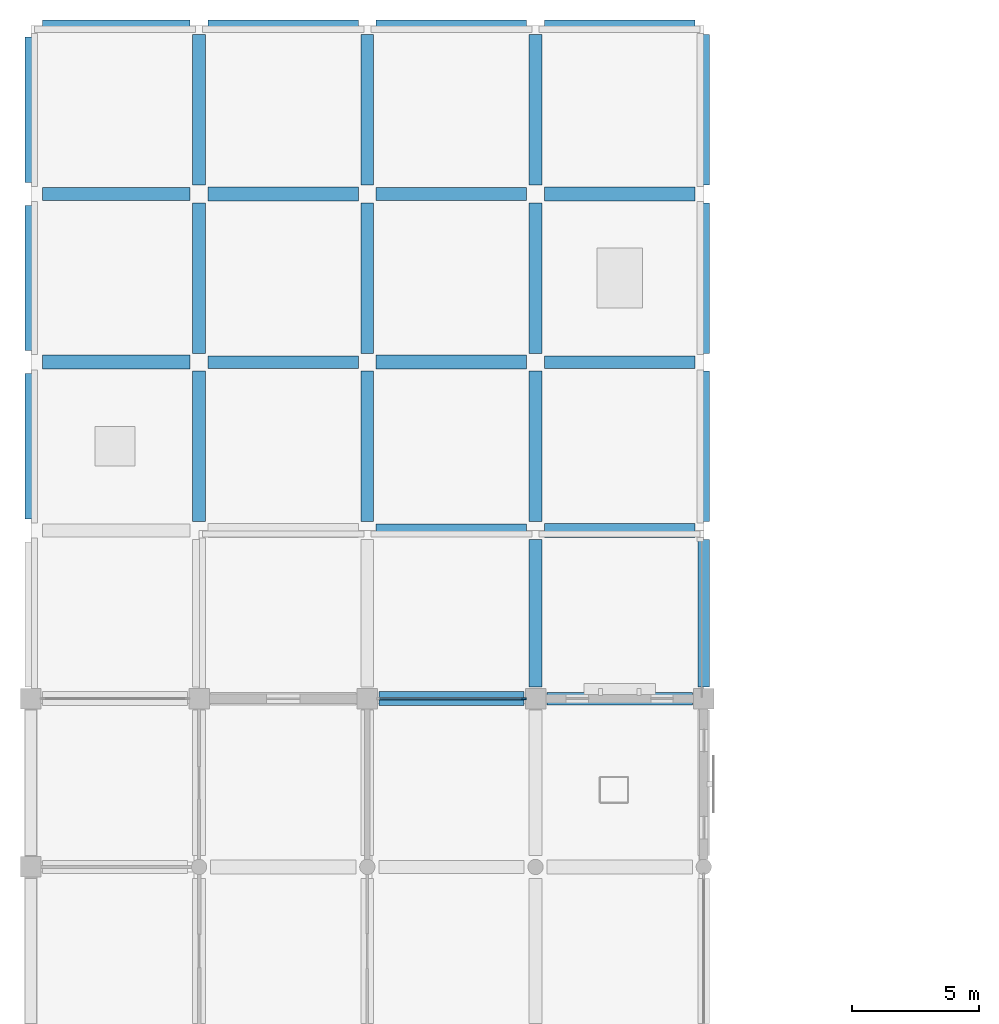
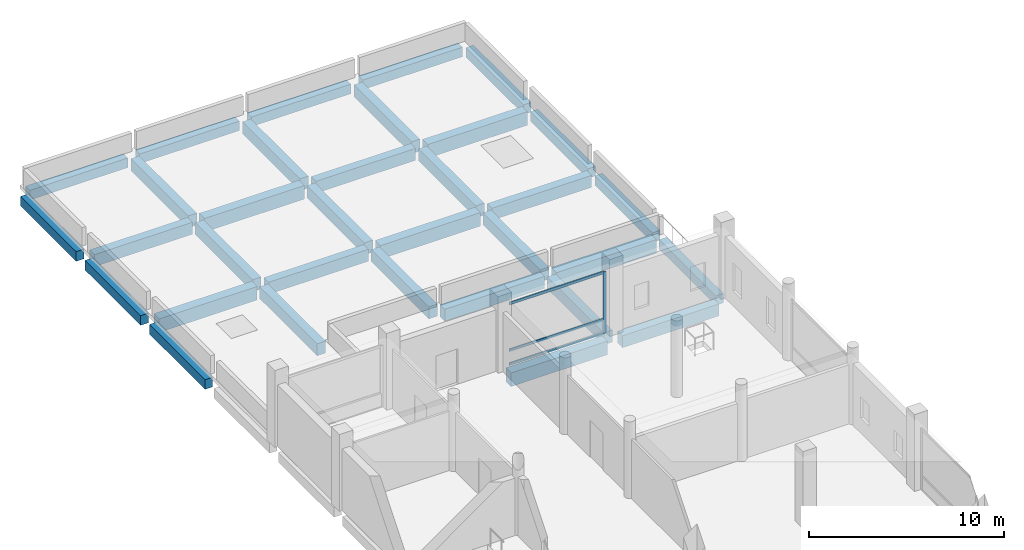
# One storey, part 14 of 34: 33 beams, 4 members, 1 element without a shape of its own.
"""IFC4 building model written with IfcOpenShell, lengths in metres."""

from ifc_helpers import new_model, si_unit, direction, frame, origin, origin_2d, place, context, subcontext, project, spatial, rectangle, extrude, material, material_profile, profile_set, type_object, element, aggregate, save


model = new_model("IFC4")

# Units and contexts
model_context = context("Model", 3, precision=1e-05, world=origin(), true_north=direction((0.0, 1.0)))
body_context = subcontext(model_context, "Body", "Model", "MODEL_VIEW")
ifc_project = project(units=[si_unit("LENGTHUNIT", "METRE"), si_unit("AREAUNIT", "SQUARE_METRE"), si_unit("VOLUMEUNIT", "CUBIC_METRE"), si_unit("PLANEANGLEUNIT", "RADIAN"), si_unit("MASSUNIT", "GRAM", prefix="KILO")], contexts=[model_context])

# Site, building, storey
site_placement = place(None, origin())
site = spatial("IfcSite", under=ifc_project, at=site_placement, CompositionType="ELEMENT")
building_placement = place(site_placement, origin())
building = spatial("IfcBuilding", under=site, at=building_placement, Name="Rusizi Kubbe Research Institute", CompositionType="ELEMENT")
storey_placement = place(building_placement, frame((0.0, 0.0, 5.39990234375)))
storey = spatial("IfcBuildingStorey", under=building, at=storey_placement, Name="L01", CompositionType="ELEMENT", Elevation=5.39990234375)

# Beams
ifc_material_1 = material(Name="Concrete C40/50", Category="concrete")
ifc_material_profile_1 = material_profile(ifc_material_1, rectangle(XDim=0.449951171875, YDim=0.60009765625, at=origin_2d()), Name="RC450x600")
ifc_profile_set_1 = profile_set([ifc_material_profile_1], Name="Concrete C40/50")
beam_type_1 = type_object("IfcBeamType", Name="BM-RC450x600", PredefinedType="SPANDREL", material=ifc_profile_set_1)
beam_1_placement = place(storey_placement, frame((0.449951171875, 171.60009765625, -0.64990234375), z_axis=(1.0, 0.0, 0.0), x_axis=(0.0, 1.0, 0.0)))
element("IfcBeam", 1, at=beam_1_placement, inside=storey, type_object=beam_type_1, Name="Grid Beam H L01 (0,26)", PredefinedType="SPANDREL", context=body_context, shape_type="SweptSolid", body=[
    extrude(rectangle(XDim=0.449951171875, YDim=0.60009765625, at=origin_2d()), origin(), (0.0, 0.0, 1.0), 5.800048828125),
])
beam_2_placement = place(storey_placement, frame((6.949951171875, 171.60009765625, -0.64990234375), z_axis=(1.0, 0.0, 0.0), x_axis=(0.0, 1.0, 0.0)))
element("IfcBeam", 2, at=beam_2_placement, inside=storey, type_object=beam_type_1, Name="Grid Beam H L01 (1,26)", PredefinedType="SPANDREL", context=body_context, shape_type="SweptSolid", body=[
    extrude(rectangle(XDim=0.449951171875, YDim=0.60009765625, at=origin_2d()), origin(), (0.0, 0.0, 1.0), 5.900146484375),
])
beam_3_placement = place(storey_placement, frame((13.550048828125, 171.60009765625, -0.64990234375), z_axis=(1.0, 0.0, 0.0), x_axis=(0.0, 1.0, 0.0)))
element("IfcBeam", 3, at=beam_3_placement, inside=storey, type_object=beam_type_1, Name="Grid Beam H L01 (2,26)", PredefinedType="SPANDREL", context=body_context, shape_type="SweptSolid", body=[
    extrude(rectangle(XDim=0.449951171875, YDim=0.60009765625, at=origin_2d()), origin(), (0.0, 0.0, 1.0), 5.89990234375),
])
beam_4_placement = place(storey_placement, frame((20.14990234375, 171.60009765625, -0.64990234375), z_axis=(1.0, 0.0, 0.0), x_axis=(0.0, 1.0, 0.0)))
element("IfcBeam", 4, at=beam_4_placement, inside=storey, type_object=beam_type_1, Name="Grid Beam H L01 (3,26)", PredefinedType="SPANDREL", context=body_context, shape_type="SweptSolid", body=[
    extrude(rectangle(XDim=0.449951171875, YDim=0.60009765625, at=origin_2d()), origin(), (0.0, 0.0, 1.0), 5.900146484375),
])
for number, where, z_axis, x_axis, name in (
    (5, (0.0, 152.25, -0.64990234375), (0.0, 1.0, 0.0), (-1.0, 0.0, 0.0), "Grid Beam V L01 (0,23)"),
    (6, (0.0, 158.85009765625, -0.64990234375), (0.0, 1.0, 0.0), (-1.0, 0.0, 0.0), "Grid Beam V L01 (0,24)"),
    (7, (0.0, 165.449951171875, -0.64990234375), (0.0, 1.0, 0.0), (-1.0, 0.0, 0.0), "Grid Beam V L01 (0,25)"),
):
    element("IfcBeam", number, at=place(storey_placement, frame(where, z_axis=z_axis, x_axis=x_axis)), inside=storey, type_object=beam_type_1, Name=name, PredefinedType="SPANDREL", context=body_context, shape_type="SweptSolid", body=[
        extrude(rectangle(XDim=0.449951171875, YDim=0.60009765625, at=origin_2d()), origin(), (0.0, 0.0, 1.0), 5.699951171875),
    ])
beam_5_placement = place(storey_placement, frame((26.39990234375, 145.64990234375, -0.64990234375), z_axis=(0.0, 1.0, 0.0), x_axis=(-1.0, 0.0, 0.0)))
element("IfcBeam", 8, at=beam_5_placement, inside=storey, type_object=beam_type_1, Name="Grid Beam V L01 (4,22)", PredefinedType="SPANDREL", context=body_context, shape_type="SweptSolid", body=[
    extrude(rectangle(XDim=0.449951171875, YDim=0.60009765625, at=origin_2d()), origin(), (0.0, 0.0, 1.0), 5.800048828125),
])
beam_6_placement = place(storey_placement, frame((26.39990234375, 152.14990234375, -0.64990234375), z_axis=(0.0, 1.0, 0.0), x_axis=(-1.0, 0.0, 0.0)))
element("IfcBeam", 9, at=beam_6_placement, inside=storey, type_object=beam_type_1, Name="Grid Beam V L01 (4,23)", PredefinedType="SPANDREL", context=body_context, shape_type="SweptSolid", body=[
    extrude(rectangle(XDim=0.449951171875, YDim=0.60009765625, at=origin_2d()), origin(), (0.0, 0.0, 1.0), 5.900146484375),
])
for number, where, z_axis, x_axis, name in (
    (10, (26.39990234375, 158.75, -0.64990234375), (0.0, 1.0, 0.0), (-1.0, 0.0, 0.0), "Grid Beam V L01 (4,24)"),
    (11, (26.39990234375, 165.35009765625, -0.64990234375), (0.0, 1.0, 0.0), (-1.0, 0.0, 0.0), "Grid Beam V L01 (4,25)"),
):
    element("IfcBeam", number, at=place(storey_placement, frame(where, z_axis=z_axis, x_axis=x_axis)), inside=storey, type_object=beam_type_1, Name=name, PredefinedType="SPANDREL", context=body_context, shape_type="SweptSolid", body=[
        extrude(rectangle(XDim=0.449951171875, YDim=0.60009765625, at=origin_2d()), origin(), (0.0, 0.0, 1.0), 5.89990234375),
    ])
ifc_material_2 = material(Name="Concrete C45/55", Category="concrete")
ifc_material_profile_2 = material_profile(ifc_material_2, rectangle(XDim=0.5, YDim=0.75, at=origin_2d()), Name="RC500x750B")
ifc_profile_set_2 = profile_set([ifc_material_profile_2], Name="Concrete C45/55")
beam_type_2 = type_object("IfcBeamType", Name="BM-RC500x750", PredefinedType="BEAM", material=ifc_profile_set_2)
beam_7_placement = place(storey_placement, frame((0.449951171875, 165.0, -0.724853515625), z_axis=(1.0, 0.0, 0.0), x_axis=(0.0, 1.0, 0.0)))
element("IfcBeam", 12, at=beam_7_placement, inside=storey, type_object=beam_type_2, Name="Grid Beam H L01 (0,25)", PredefinedType="BEAM", context=body_context, shape_type="SweptSolid", body=[
    extrude(rectangle(XDim=0.5, YDim=0.75, at=origin_2d()), origin(), (0.0, 0.0, 1.0), 5.800048828125),
])
beam_8_placement = place(storey_placement, frame((6.949951171875, 158.39990234375, -0.724853515625), z_axis=(1.0, 0.0, 0.0), x_axis=(0.0, 1.0, 0.0)))
element("IfcBeam", 13, at=beam_8_placement, inside=storey, type_object=beam_type_2, Name="Grid Beam H L01 (1,24)", PredefinedType="BEAM", context=body_context, shape_type="SweptSolid", body=[
    extrude(rectangle(XDim=0.5, YDim=0.75, at=origin_2d()), origin(), (0.0, 0.0, 1.0), 5.900146484375),
])
for number, where, z_axis, x_axis, name in (
    (14, (13.550048828125, 151.800048828125, -0.724853515625), (1.0, 0.0, 0.0), (0.0, 1.0, 0.0), "Grid Beam H L01 (2,23)"),
    (15, (13.550048828125, 165.0, -0.724853515625), (1.0, 0.0, 0.0), (0.0, 1.0, 0.0), "Grid Beam H L01 (2,25)"),
):
    element("IfcBeam", number, at=place(storey_placement, frame(where, z_axis=z_axis, x_axis=x_axis)), inside=storey, type_object=beam_type_2, Name=name, PredefinedType="BEAM", context=body_context, shape_type="SweptSolid", body=[
        extrude(rectangle(XDim=0.5, YDim=0.75, at=origin_2d()), origin(), (0.0, 0.0, 1.0), 5.89990234375),
    ])
beam_9_placement = place(storey_placement, frame((20.25, 145.199951171875, -0.724853515625), z_axis=(1.0, 0.0, 0.0), x_axis=(0.0, 1.0, 0.0)))
element("IfcBeam", 16, at=beam_9_placement, inside=storey, type_object=beam_type_2, Name="Grid Beam H L01 (3,22)", PredefinedType="BEAM", context=body_context, shape_type="SweptSolid", body=[
    extrude(rectangle(XDim=0.5, YDim=0.75, at=origin_2d()), origin(), (0.0, 0.0, 1.0), 5.699951171875),
])
for number, where, z_axis, x_axis, name in (
    (17, (20.14990234375, 158.39990234375, -0.724853515625), (1.0, 0.0, 0.0), (0.0, 1.0, 0.0), "Grid Beam H L01 (3,24)"),
    (18, (6.60009765625, 152.14990234375, -0.724853515625), (0.0, 1.0, 0.0), (-1.0, 0.0, 0.0), "Grid Beam V L01 (1,23)"),
):
    element("IfcBeam", number, at=place(storey_placement, frame(where, z_axis=z_axis, x_axis=x_axis)), inside=storey, type_object=beam_type_2, Name=name, PredefinedType="BEAM", context=body_context, shape_type="SweptSolid", body=[
        extrude(rectangle(XDim=0.5, YDim=0.75, at=origin_2d()), origin(), (0.0, 0.0, 1.0), 5.900146484375),
    ])
for number, where, z_axis, x_axis, name in (
    (19, (6.60009765625, 158.75, -0.724853515625), (0.0, 1.0, 0.0), (-1.0, 0.0, 0.0), "Grid Beam V L01 (1,24)"),
    (20, (6.60009765625, 165.35009765625, -0.724853515625), (0.0, 1.0, 0.0), (-1.0, 0.0, 0.0), "Grid Beam V L01 (1,25)"),
):
    element("IfcBeam", number, at=place(storey_placement, frame(where, z_axis=z_axis, x_axis=x_axis)), inside=storey, type_object=beam_type_2, Name=name, PredefinedType="BEAM", context=body_context, shape_type="SweptSolid", body=[
        extrude(rectangle(XDim=0.5, YDim=0.75, at=origin_2d()), origin(), (0.0, 0.0, 1.0), 5.89990234375),
    ])
beam_10_placement = place(storey_placement, frame((13.199951171875, 152.14990234375, -0.724853515625), z_axis=(0.0, 1.0, 0.0), x_axis=(-1.0, 0.0, 0.0)))
element("IfcBeam", 21, at=beam_10_placement, inside=storey, type_object=beam_type_2, Name="Grid Beam V L01 (2,23)", PredefinedType="BEAM", context=body_context, shape_type="SweptSolid", body=[
    extrude(rectangle(XDim=0.5, YDim=0.75, at=origin_2d()), origin(), (0.0, 0.0, 1.0), 5.900146484375),
])
for number, where, z_axis, x_axis, name in (
    (22, (13.199951171875, 158.75, -0.724853515625), (0.0, 1.0, 0.0), (-1.0, 0.0, 0.0), "Grid Beam V L01 (2,24)"),
    (23, (13.199951171875, 165.35009765625, -0.724853515625), (0.0, 1.0, 0.0), (-1.0, 0.0, 0.0), "Grid Beam V L01 (2,25)"),
):
    element("IfcBeam", number, at=place(storey_placement, frame(where, z_axis=z_axis, x_axis=x_axis)), inside=storey, type_object=beam_type_2, Name=name, PredefinedType="BEAM", context=body_context, shape_type="SweptSolid", body=[
        extrude(rectangle(XDim=0.5, YDim=0.75, at=origin_2d()), origin(), (0.0, 0.0, 1.0), 5.89990234375),
    ])
beam_11_placement = place(storey_placement, frame((19.800048828125, 145.64990234375, -0.724853515625), z_axis=(0.0, 1.0, 0.0), x_axis=(-1.0, 0.0, 0.0)))
element("IfcBeam", 24, at=beam_11_placement, inside=storey, type_object=beam_type_2, Name="Grid Beam V L01 (3,22)", PredefinedType="BEAM", context=body_context, shape_type="SweptSolid", body=[
    extrude(rectangle(XDim=0.5, YDim=0.75, at=origin_2d()), origin(), (0.0, 0.0, 1.0), 5.800048828125),
])
beam_12_placement = place(storey_placement, frame((19.800048828125, 152.14990234375, -0.724853515625), z_axis=(0.0, 1.0, 0.0), x_axis=(-1.0, 0.0, 0.0)))
element("IfcBeam", 25, at=beam_12_placement, inside=storey, type_object=beam_type_2, Name="Grid Beam V L01 (3,23)", PredefinedType="BEAM", context=body_context, shape_type="SweptSolid", body=[
    extrude(rectangle(XDim=0.5, YDim=0.75, at=origin_2d()), origin(), (0.0, 0.0, 1.0), 5.900146484375),
])
for number, where, z_axis, x_axis, name in (
    (26, (19.800048828125, 158.75, -0.724853515625), (0.0, 1.0, 0.0), (-1.0, 0.0, 0.0), "Grid Beam V L01 (3,24)"),
    (27, (19.800048828125, 165.35009765625, -0.724853515625), (0.0, 1.0, 0.0), (-1.0, 0.0, 0.0), "Grid Beam V L01 (3,25)"),
):
    element("IfcBeam", number, at=place(storey_placement, frame(where, z_axis=z_axis, x_axis=x_axis)), inside=storey, type_object=beam_type_2, Name=name, PredefinedType="BEAM", context=body_context, shape_type="SweptSolid", body=[
        extrude(rectangle(XDim=0.5, YDim=0.75, at=origin_2d()), origin(), (0.0, 0.0, 1.0), 5.89990234375),
    ])
ifc_material_3 = material(Name="Concrete C45/55", Category="concrete")
ifc_material_profile_3 = material_profile(ifc_material_3, rectangle(XDim=0.550048828125, YDim=0.85009765625, at=origin_2d()), Name="RC550x850")
ifc_profile_set_3 = profile_set([ifc_material_profile_3], Name="Concrete C45/55")
beam_type_3 = type_object("IfcBeamType", Name="BM-RC550x850", PredefinedType="BEAM", material=ifc_profile_set_3)
beam_13_placement = place(storey_placement, frame((0.449951171875, 158.39990234375, -0.77490234375), z_axis=(1.0, 0.0, 0.0), x_axis=(0.0, 1.0, 0.0)))
element("IfcBeam", 28, at=beam_13_placement, inside=storey, type_object=beam_type_3, Name="Grid Beam H L01 (0,24)", PredefinedType="BEAM", context=body_context, shape_type="SweptSolid", body=[
    extrude(rectangle(XDim=0.550048828125, YDim=0.85009765625, at=origin_2d()), origin(), (0.0, 0.0, 1.0), 5.800048828125),
])
beam_14_placement = place(storey_placement, frame((6.949951171875, 165.0, -0.77490234375), z_axis=(1.0, 0.0, 0.0), x_axis=(0.0, 1.0, 0.0)))
element("IfcBeam", 29, at=beam_14_placement, inside=storey, type_object=beam_type_3, Name="Grid Beam H L01 (1,25)", PredefinedType="BEAM", context=body_context, shape_type="SweptSolid", body=[
    extrude(rectangle(XDim=0.550048828125, YDim=0.85009765625, at=origin_2d()), origin(), (0.0, 0.0, 1.0), 5.900146484375),
])
beam_15_placement = place(storey_placement, frame((13.64990234375, 145.199951171875, -0.77490234375), z_axis=(1.0, 0.0, 0.0), x_axis=(0.0, 1.0, 0.0)))
element("IfcBeam", 30, at=beam_15_placement, inside=storey, type_object=beam_type_3, Name="Grid Beam H L01 (2,22)", PredefinedType="BEAM", context=body_context, shape_type="SweptSolid", body=[
    extrude(rectangle(XDim=0.550048828125, YDim=0.85009765625, at=origin_2d()), origin(), (0.0, 0.0, 1.0), 5.7001953125),
])
beam_16_placement = place(storey_placement, frame((13.550048828125, 158.39990234375, -0.77490234375), z_axis=(1.0, 0.0, 0.0), x_axis=(0.0, 1.0, 0.0)))
element("IfcBeam", 31, at=beam_16_placement, inside=storey, type_object=beam_type_3, Name="Grid Beam H L01 (2,24)", PredefinedType="BEAM", context=body_context, shape_type="SweptSolid", body=[
    extrude(rectangle(XDim=0.550048828125, YDim=0.85009765625, at=origin_2d()), origin(), (0.0, 0.0, 1.0), 5.89990234375),
])
for number, where, z_axis, x_axis, name in (
    (32, (20.14990234375, 151.800048828125, -0.77490234375), (1.0, 0.0, 0.0), (0.0, 1.0, 0.0), "Grid Beam H L01 (3,23)"),
    (33, (20.14990234375, 165.0, -0.77490234375), (1.0, 0.0, 0.0), (0.0, 1.0, 0.0), "Grid Beam H L01 (3,25)"),
):
    element("IfcBeam", number, at=place(storey_placement, frame(where, z_axis=z_axis, x_axis=x_axis)), inside=storey, type_object=beam_type_3, Name=name, PredefinedType="BEAM", context=body_context, shape_type="SweptSolid", body=[
        extrude(rectangle(XDim=0.550048828125, YDim=0.85009765625, at=origin_2d()), origin(), (0.0, 0.0, 1.0), 5.900146484375),
    ])

# Curtain wall, members
ifc_material_4 = material(Name="Thermally Broken Aluminium and Low-E Glazing", Category="aluminium")
curtain_wall_type = type_object("IfcCurtainWallType", Name="CW-17", PredefinedType="NOTDEFINED", material=ifc_material_4)
curtain_wall_placement = place(storey_placement, origin())
curtain_wall = element("IfcCurtainWall", 34, at=curtain_wall_placement, inside=storey, type_object=curtain_wall_type, Name="Unitised Facade Curtain Wall CW-L01-H-02-22", PredefinedType="NOTDEFINED")
ifc_material_5 = material(Name="Aluminium Alloy 6063-T6", Category="aluminium")
ifc_material_profile_4 = material_profile(ifc_material_5, rectangle(XDim=0.06494140625, YDim=0.199951171875, at=origin_2d()), Name="ALU-M 65x200")
ifc_profile_set_4 = profile_set([ifc_material_profile_4], Name="Aluminium Alloy 6063-T6")
member_type_1 = type_object("IfcMemberType", Name="ML-03", PredefinedType="MULLION", material=ifc_profile_set_4)
member_1_placement = place(storey_placement, frame((19.33740234375, 145.199951171875, 0.0), z_axis=(0.0, 0.0, 1.0), x_axis=(0.0, 1.0, 0.0)))
member_1 = element("IfcMember", 35, at=member_1_placement, type_object=member_type_1, Name="CW-17 mullion 2", PredefinedType="MULLION", context=body_context, shape_type="SweptSolid", body=[
    extrude(rectangle(XDim=0.06494140625, YDim=0.199951171875, at=origin_2d()), origin(), (0.0, 0.0, 1.0), 3.85009765625),
])
ifc_material_6 = material(Name="Aluminium Alloy 6063-T6", Category="aluminium")
ifc_material_profile_5 = material_profile(ifc_material_6, rectangle(XDim=0.06494140625, YDim=0.159912109375, at=origin_2d()), Name="ALU-T 65x160")
ifc_profile_set_5 = profile_set([ifc_material_profile_5], Name="Aluminium Alloy 6063-T6")
member_type_2 = type_object("IfcMemberType", Name="TR-03", PredefinedType="USERDEFINED", material=ifc_profile_set_5)
member_2_placement = place(storey_placement, frame((13.695068359375, 145.199951171875, 0.03271484375), z_axis=(1.0, 0.0, 0.0), x_axis=(0.0, 1.0, 0.0)))
member_2 = element("IfcMember", 36, at=member_2_placement, type_object=member_type_2, Name="CW-17 transom 1.1", ObjectType="TRANSOM", PredefinedType="USERDEFINED", context=body_context, shape_type="SweptSolid", body=[
    extrude(rectangle(XDim=0.06494140625, YDim=0.159912109375, at=origin_2d()), origin(), (0.0, 0.0, 1.0), 5.60986328125),
])
member_3_placement = place(storey_placement, frame((13.695068359375, 145.199951171875, 0.900146484375), z_axis=(1.0, 0.0, 0.0), x_axis=(0.0, 1.0, 0.0)))
member_3 = element("IfcMember", 37, at=member_3_placement, type_object=member_type_2, Name="CW-17 transom 1.2", ObjectType="TRANSOM", PredefinedType="USERDEFINED", context=body_context, shape_type="SweptSolid", body=[
    extrude(rectangle(XDim=0.06494140625, YDim=0.159912109375, at=origin_2d()), origin(), (0.0, 0.0, 1.0), 5.60986328125),
])
member_4_placement = place(storey_placement, frame((13.695068359375, 145.199951171875, 3.817626953125), z_axis=(1.0, 0.0, 0.0), x_axis=(0.0, 1.0, 0.0)))
member_4 = element("IfcMember", 38, at=member_4_placement, type_object=member_type_2, Name="CW-17 transom 1.3", ObjectType="TRANSOM", PredefinedType="USERDEFINED", context=body_context, shape_type="SweptSolid", body=[
    extrude(rectangle(XDim=0.06494140625, YDim=0.159912109375, at=origin_2d()), origin(), (0.0, 0.0, 1.0), 5.60986328125),
])
aggregate(curtain_wall, [member_1, member_2, member_3, member_4])

save(model, "model.ifc")
